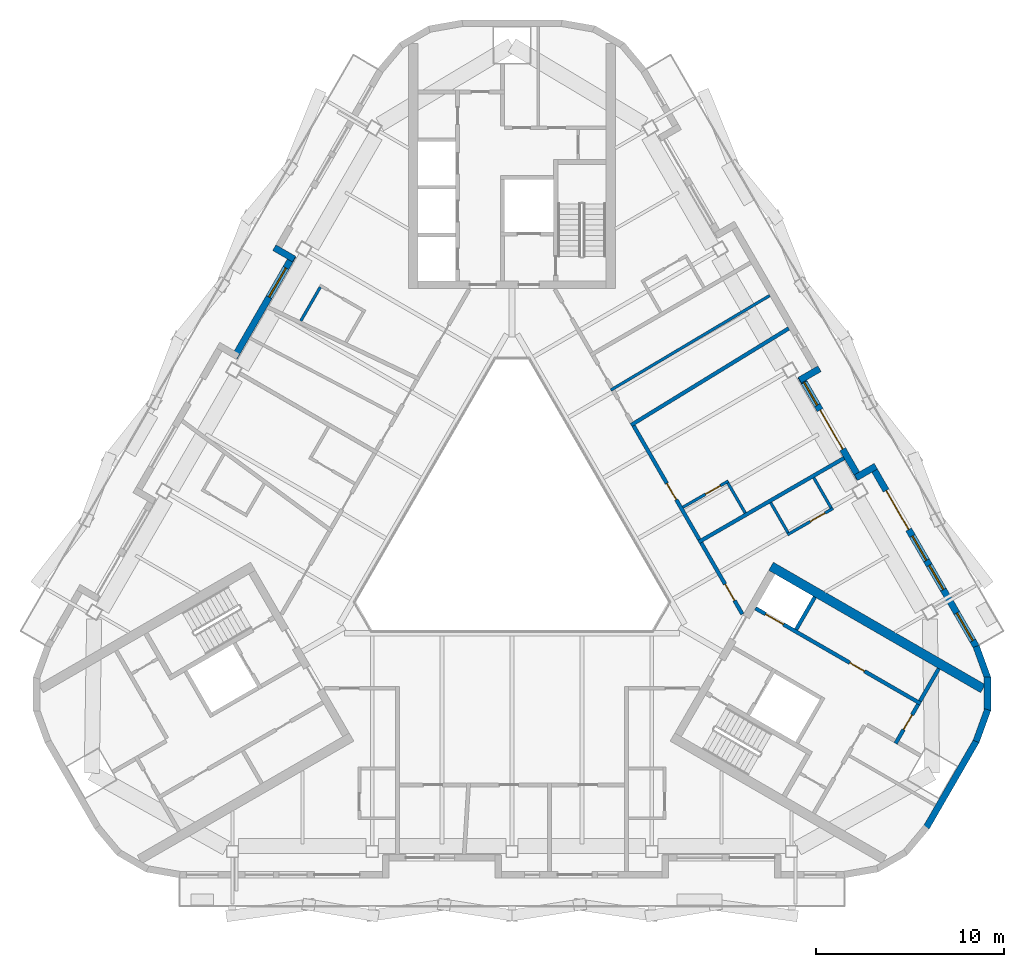
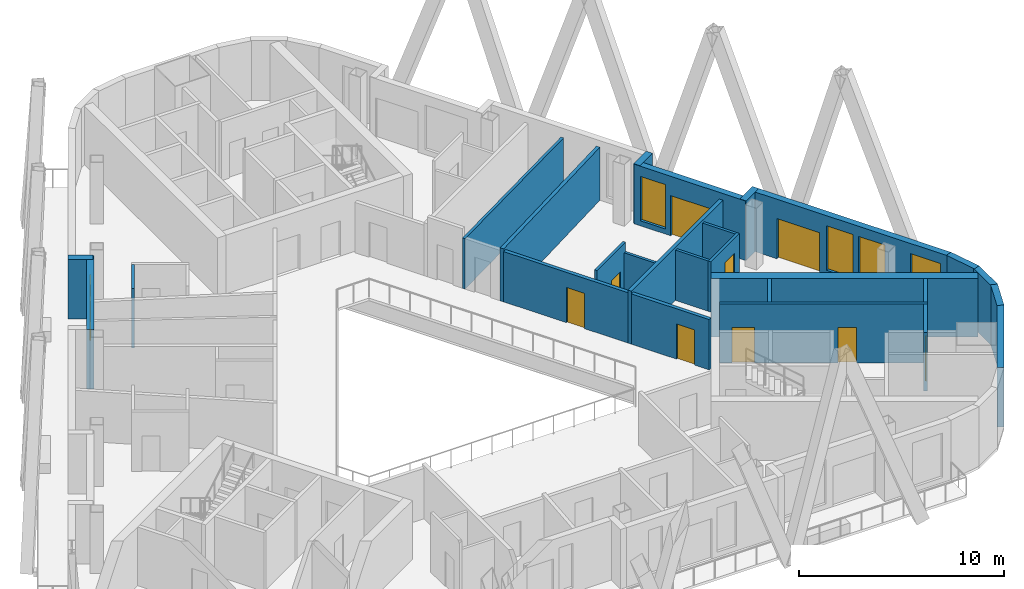
# One storey, part 6 of 14: 26 walls, 9 doors, 5 windows, 14 openings.
"""IFC4 building model written with IfcOpenShell, lengths in metres."""

from ifc_helpers import new_model, si_unit, direction, frame, frame_2d, origin, place, context, subcontext, project, spatial, rectangle, extrude, material, layer, layer_set, type_object, element, fill, save


model = new_model("IFC4")

# Units and contexts
model_context = context("Model", 3, precision=1e-05, world=origin(), true_north=direction((0.0, 1.0)))
body_context = subcontext(model_context, "Body", "Model", "MODEL_VIEW")
ifc_project = project(units=[si_unit("LENGTHUNIT", "METRE"), si_unit("AREAUNIT", "SQUARE_METRE"), si_unit("VOLUMEUNIT", "CUBIC_METRE"), si_unit("PLANEANGLEUNIT", "RADIAN"), si_unit("MASSUNIT", "GRAM", prefix="KILO")], contexts=[model_context])

# Site, building, storey
site_placement = place(None, origin())
site = spatial("IfcSite", under=ifc_project, at=site_placement, CompositionType="ELEMENT")
building_placement = place(site_placement, origin())
building = spatial("IfcBuilding", under=site, at=building_placement, Name="Apuvela Tower Hotel", CompositionType="ELEMENT")
storey_placement = place(building_placement, frame((0.0, 0.0, 268.89990234375)))
storey = spatial("IfcBuildingStorey", under=building, at=storey_placement, Name="L66", CompositionType="ELEMENT", Elevation=268.89990234375)

# Wall
ifc_material_1 = material(Name="Concrete C50/60", Category="concrete")
ifc_layer_1 = layer(ifc_material_1, 0.5)
ifc_layer_set_1 = layer_set([ifc_layer_1], Name="COR-WALL-CORE-500")
wall_type_1 = type_object("IfcWallType", Name="COR-WALL-CORE-500", PredefinedType="SHEAR", material=ifc_layer_set_1)
wall_1_placement = place(storey_placement, frame((13.796630859375, -1.9033203125, 0.0), z_axis=(0.0, 0.0, 1.0), x_axis=(0.866022106474, -0.500005711065, 0.0)))
element("IfcWall", 1, at=wall_1_placement, inside=storey, type_object=wall_type_1, Name="Core wall SE", PredefinedType="SHEAR", context=body_context, shape_type="SweptSolid", body=[
    extrude(rectangle(XDim=13.031494140625, YDim=0.5, at=frame_2d((6.515625, 0.0))), origin(), (0.0, 0.0, 1.0), 3.5),
])

# Wall, openings, doors
ifc_layer_2 = layer(ifc_material_1, 0.199951171875)
ifc_layer_set_2 = layer_set([ifc_layer_2], Name="COR-WALL-SHAFT-200")
wall_type_2 = type_object("IfcWallType", Name="COR-WALL-SHAFT-200", PredefinedType="SHEAR", material=ifc_layer_set_2)
wall_2_placement = place(storey_placement, frame((12.968017578125, -4.138427734375, 0.0), z_axis=(0.0, 0.0, 1.0), x_axis=(0.866028328073, -0.49999493495, 0.0)))
wall_2 = element("IfcWall", 2, at=wall_2_placement, inside=storey, type_object=wall_type_2, Name="Shaft wall SE", PredefinedType="SHEAR", context=body_context, shape_type="SweptSolid", body=[
    extrude(rectangle(XDim=10.16015625, YDim=0.199951171875, at=frame_2d((5.080078125, 0.0))), origin(), (0.0, 0.0, 1.0), 3.5),
])
opening_1_placement = place(wall_2_placement, frame((0.6201171875, 0.0, 0.0)))
opening_1 = element("IfcOpeningElement", 3, at=opening_1_placement, cuts=wall_2, Name="Opening E-LD-HR3", PredefinedType="OPENING", context=body_context, shape_type="SweptSolid", body=[
    extrude(rectangle(XDim=1.10009765625, YDim=2.10009765625, at=frame_2d((0.550048828125, 1.050048828125))), frame((0.0, 0.10986328125, 0.0), z_axis=(0.0, -1.0, 0.0), x_axis=(1.0, 0.0, 0.0)), (0.0, 0.0, 1.0), 0.219970703125),
])
opening_2_placement = place(wall_2_placement, frame((5.800048828125, 0.0, 0.0)))
opening_2 = element("IfcOpeningElement", 4, at=opening_2_placement, cuts=wall_2, Name="Opening E-RE2", PredefinedType="OPENING", context=body_context, shape_type="SweptSolid", body=[
    extrude(rectangle(XDim=0.89990234375, YDim=2.10009765625, at=frame_2d((0.449951171875, 1.050048828125))), frame((0.0, 0.10986328125, 0.0), z_axis=(0.0, -1.0, 0.0), x_axis=(1.0, 0.0, 0.0)), (0.0, 0.0, 1.0), 0.219970703125),
])
ifc_material_2 = material(Name="Steel fire door, powder coated", Category="steel")
door_type_1 = type_object("IfcDoorType", Name="COR-DR-900", OperationType="NOTDEFINED", PredefinedType="DOOR", material=ifc_material_2)
door_1_placement = place(opening_2_placement, origin())
door_1 = element("IfcDoor", 5, at=door_1_placement, inside=storey, type_object=door_type_1, Name="Store door E-RE2", OperationType="SINGLE_SWING_LEFT", OverallHeight=2.10009765625, OverallWidth=0.89990234375, PredefinedType="DOOR", context=body_context, shape_type="SweptSolid", body=[
    extrude(rectangle(XDim=0.89990234375, YDim=2.10009765625, at=frame_2d((0.449951171875, 1.050048828125))), frame((0.0, 0.02490234375, 0.0), z_axis=(0.0, -1.0, 0.0), x_axis=(1.0, 0.0, 0.0)), (0.0, 0.0, 1.0), 0.050048828125),
])
fill(opening_2, door_1)
ifc_material_3 = material(Name="Stainless steel lift landing door", Category="steel")
door_type_2 = type_object("IfcDoorType", Name="COR-LD-1100", OperationType="DOUBLE_DOOR_SLIDING", PredefinedType="DOOR", material=ifc_material_3)
door_2_placement = place(opening_1_placement, origin())
door_2 = element("IfcDoor", 6, at=door_2_placement, inside=storey, type_object=door_type_2, Name="Lift landing door E-LD-HR3", OperationType="DOUBLE_DOOR_SLIDING", OverallHeight=2.10009765625, OverallWidth=1.10009765625, PredefinedType="DOOR", context=body_context, shape_type="SweptSolid", body=[
    extrude(rectangle(XDim=1.10009765625, YDim=2.10009765625, at=frame_2d((0.550048828125, 1.050048828125))), frame((0.0, 0.02490234375, 0.0), z_axis=(0.0, -1.0, 0.0), x_axis=(1.0, 0.0, 0.0)), (0.0, 0.0, 1.0), 0.050048828125),
])
fill(opening_1, door_2)

# Wall, opening, door
wall_3_placement = place(storey_placement, frame((20.430419921875, -11.33349609375, 0.0), z_axis=(0.0, 0.0, 1.0), x_axis=(0.500001309137, 0.866024647952, 0.0)))
wall_3 = element("IfcWall", 7, at=wall_3_placement, inside=storey, type_object=wall_type_2, Name="Shaft wall SE", PredefinedType="SHEAR", context=body_context, shape_type="SweptSolid", body=[
    extrude(rectangle(XDim=2.39990234375, YDim=0.199951171875, at=frame_2d((1.199951171875, 0.0))), origin(), (0.0, 0.0, 1.0), 3.5),
])
opening_3_placement = place(wall_3_placement, frame((0.85009765625, 0.0, 0.0)))
opening_3 = element("IfcOpeningElement", 8, at=opening_3_placement, cuts=wall_3, Name="Opening E-REP", PredefinedType="OPENING", context=body_context, shape_type="SweptSolid", body=[
    extrude(rectangle(XDim=0.89990234375, YDim=2.10009765625, at=frame_2d((0.449951171875, 1.050048828125))), frame((0.0, 0.10986328125, 0.0), z_axis=(0.0, -1.0, 0.0), x_axis=(1.0, 0.0, 0.0)), (0.0, 0.0, 1.0), 0.219970703125),
])
door_3_placement = place(opening_3_placement, frame((0.89990234375, 0.0, 0.0), z_axis=(0.0, 0.0, 1.0), x_axis=(-1.0, 0.0, 0.0)))
door_3 = element("IfcDoor", 9, at=door_3_placement, inside=storey, type_object=door_type_1, Name="Store door E-REP", OperationType="SINGLE_SWING_RIGHT", OverallHeight=2.10009765625, OverallWidth=0.89990234375, PredefinedType="DOOR", context=body_context, shape_type="SweptSolid", body=[
    extrude(rectangle(XDim=0.89990234375, YDim=2.10009765625, at=frame_2d((0.449951171875, 1.050048828125))), frame((0.0, 0.02490234375, 0.0), z_axis=(0.0, -1.0, 0.0), x_axis=(1.0, 0.0, 0.0)), (0.0, 0.0, 1.0), 0.050048828125),
])
fill(opening_3, door_3)

# Walls
for number, where, z_axis, x_axis, name in (
    (10, (15.131103515625, -5.27197265625, 0.0), (0.0, 0.0, 1.0), (0.499972520799, 0.866041268327, 0.0), "Shaft wall SE"),
    (11, (21.73046875, -9.081787109375, 0.0), (0.0, 0.0, 1.0), (0.50002537861, 0.866010750942, 0.0), "Shaft wall SE"),
):
    element("IfcWall", number, at=place(storey_placement, frame(where, z_axis=z_axis, x_axis=x_axis)), inside=storey, type_object=wall_type_2, Name=name, PredefinedType="SHEAR", context=body_context, shape_type="SweptSolid", body=[
        extrude(rectangle(XDim=2.0, YDim=0.199951171875, at=frame_2d((1.0, 0.0))), origin(), (0.0, 0.0, 1.0), 3.5),
    ])
ifc_material_4 = material(Name="Concrete C40/50, dark pigmented precast panel", Category="concrete")
ifc_layer_3 = layer(ifc_material_4, 0.35009765625)
ifc_layer_set_3 = layer_set([ifc_layer_3], Name="ENV-WALL-350")
wall_type_3 = type_object("IfcWallType", Name="ENV-WALL-350", PredefinedType="SOLIDWALL", material=ifc_layer_set_3)
wall_4_placement = place(storey_placement, frame((-12.65869140625, 15.06640625, 0.0), z_axis=(0.0, 0.0, 1.0), x_axis=(0.866005645448, -0.500034220881, 0.0)))
element("IfcWall", 12, at=wall_4_placement, inside=storey, type_object=wall_type_3, Name="External wall L66-02", PredefinedType="SOLIDWALL", context=body_context, shape_type="SweptSolid", body=[
    extrude(rectangle(XDim=1.22021484375, YDim=0.35009765625, at=frame_2d((0.610107421875, 0.0))), origin(), (0.0, 0.0, 1.0), 3.550048828125),
])

# Wall, opening, window
wall_5_placement = place(storey_placement, frame((-11.655029296875, 14.654541015625, 0.0), z_axis=(0.0, 0.0, 1.0), x_axis=(-0.499995993298, -0.866027717042, 0.0)))
wall_5 = element("IfcWall", 13, at=wall_5_placement, inside=storey, type_object=wall_type_3, Name="External wall L66-03", PredefinedType="SOLIDWALL", context=body_context, shape_type="SweptSolid", body=[
    extrude(rectangle(XDim=6.28369140625, YDim=0.35009765625, at=frame_2d((3.141845703125, 0.0))), origin(), (0.0, 0.0, 1.0), 3.550048828125),
])
opening_4_placement = place(wall_5_placement, frame((0.77001953125, 0.0, 0.300048828125)))
opening_4 = element("IfcOpeningElement", 14, at=opening_4_placement, cuts=wall_5, Name="Opening WN18", PredefinedType="OPENING", context=body_context, shape_type="SweptSolid", body=[
    extrude(rectangle(XDim=1.800048828125, YDim=2.64990234375, at=frame_2d((0.89990234375, 1.324951171875))), frame((0.0, 0.18505859375, 0.0), z_axis=(0.0, -1.0, 0.0), x_axis=(1.0, 0.0, 0.0)), (0.0, 0.0, 1.0), 0.3701171875),
])
ifc_material_5 = material(Name="Glass, dark tinted laminated insulated glazing unit", Category="glass")
window_type_1 = type_object("IfcWindowType", Name="ENV-WIN-1800x2650", PartitioningType="SINGLE_PANEL", PredefinedType="WINDOW", material=ifc_material_5)
window_1_placement = place(opening_4_placement, origin())
window_1 = element("IfcWindow", 15, at=window_1_placement, inside=storey, type_object=window_type_1, Name="Window WN18", OverallHeight=2.64990234375, OverallWidth=1.800048828125, PartitioningType="SINGLE_PANEL", PredefinedType="WINDOW", context=body_context, shape_type="SweptSolid", body=[
    extrude(rectangle(XDim=1.800048828125, YDim=2.64990234375, at=frame_2d((0.89990234375, 1.324951171875))), frame((0.0, 0.030029296875, 0.0), z_axis=(0.0, -1.0, 0.0), x_axis=(1.0, 0.0, 0.0)), (0.0, 0.0, 1.0), 0.06005859375),
])
fill(opening_4, window_1)

# Walls
wall_6_placement = place(storey_placement, frame((22.06494140625, -15.817138671875, 0.0), z_axis=(0.0, 0.0, 1.0), x_axis=(0.500025039717, 0.866010946615, 0.0)))
element("IfcWall", 16, at=wall_6_placement, inside=storey, type_object=wall_type_3, Name="External wall L66-29", PredefinedType="SOLIDWALL", context=body_context, shape_type="SweptSolid", body=[
    extrude(rectangle(XDim=5.331298828125, YDim=0.35009765625, at=frame_2d((2.66552734375, 0.0))), origin(), (0.0, 0.0, 1.0), 3.550048828125),
])
wall_7_placement = place(storey_placement, frame((24.7177734375, -11.22802734375, 0.0), z_axis=(0.0, 0.0, 1.0), x_axis=(0.34206975284, 0.939674562916, 0.0)))
element("IfcWall", 17, at=wall_7_placement, inside=storey, type_object=wall_type_3, Name="External wall L66-30", PredefinedType="SOLIDWALL", context=body_context, shape_type="SweptSolid", body=[
    extrude(rectangle(XDim=1.800048828125, YDim=0.35009765625, at=frame_2d((0.89990234375, 0.0))), origin(), (0.0, 0.0, 1.0), 3.550048828125),
])
wall_8_placement = place(storey_placement, frame((25.32275390625, -9.5966796875, 0.0), z_axis=(0.0, 0.0, 1.0), x_axis=(0.0, 1.0, 0.0)))
element("IfcWall", 18, at=wall_8_placement, inside=storey, type_object=wall_type_3, Name="External wall L66-31", PredefinedType="SOLIDWALL", context=body_context, shape_type="SweptSolid", body=[
    extrude(rectangle(XDim=1.7998046875, YDim=0.35009765625, at=frame_2d((0.89990234375, 0.0))), origin(), (0.0, 0.0, 1.0), 3.550048828125),
])
wall_9_placement = place(storey_placement, frame((25.33349609375, -7.856689453125, 0.0), z_axis=(0.0, 0.0, 1.0), x_axis=(-0.34206975284, 0.939674562916, 0.0)))
element("IfcWall", 19, at=wall_9_placement, inside=storey, type_object=wall_type_3, Name="External wall L66-32", PredefinedType="SOLIDWALL", context=body_context, shape_type="SweptSolid", body=[
    extrude(rectangle(XDim=1.800048828125, YDim=0.35009765625, at=frame_2d((0.89990234375, 0.0))), origin(), (0.0, 0.0, 1.0), 3.550048828125),
])

# Wall, openings, door, windows
wall_10_placement = place(storey_placement, frame((24.730712890625, -6.193115234375, 0.0), z_axis=(0.0, 0.0, 1.0), x_axis=(-0.500007749075, 0.866020929808, 0.0)))
wall_10 = element("IfcWall", 20, at=wall_10_placement, inside=storey, type_object=wall_type_3, Name="External wall L66-33", PredefinedType="SOLIDWALL", context=body_context, shape_type="SweptSolid", body=[
    extrude(rectangle(XDim=11.185302734375, YDim=0.35009765625, at=frame_2d((5.5927734375, 0.0))), origin(), (0.0, 0.0, 1.0), 3.550048828125),
])
opening_5_placement = place(wall_10_placement, frame((0.380859375, 0.0, 0.300048828125)))
opening_5 = element("IfcOpeningElement", 21, at=opening_5_placement, cuts=wall_10, Name="Opening WN17", PredefinedType="OPENING", context=body_context, shape_type="SweptSolid", body=[
    extrude(rectangle(XDim=1.699951171875, YDim=2.64990234375, at=frame_2d((0.85009765625, 1.324951171875))), frame((0.0, 0.18505859375, 0.0), z_axis=(0.0, -1.0, 0.0), x_axis=(1.0, 0.0, 0.0)), (0.0, 0.0, 1.0), 0.3701171875),
])
opening_6_placement = place(wall_10_placement, frame((7.209716796875, 0.0, 0.0)))
opening_6 = element("IfcOpeningElement", 22, at=opening_6_placement, cuts=wall_10, Name="Opening BD24", PredefinedType="OPENING", context=body_context, shape_type="SweptSolid", body=[
    extrude(rectangle(XDim=2.39990234375, YDim=2.39990234375, at=frame_2d((1.199951171875, 1.199951171875))), frame((0.0, 0.18505859375, 0.0), z_axis=(0.0, -1.0, 0.0), x_axis=(1.0, 0.0, 0.0)), (0.0, 0.0, 1.0), 0.3701171875),
])
opening_7_placement = place(wall_10_placement, frame((3.5166015625, 0.0, 0.300048828125)))
opening_7 = element("IfcOpeningElement", 23, at=opening_7_placement, cuts=wall_10, Name="Opening WN15", PredefinedType="OPENING", context=body_context, shape_type="SweptSolid", body=[
    extrude(rectangle(XDim=1.5, YDim=2.64990234375, at=frame_2d((0.75, 1.324951171875))), frame((0.0, 0.18505859375, 0.0), z_axis=(0.0, -1.0, 0.0), x_axis=(1.0, 0.0, 0.0)), (0.0, 0.0, 1.0), 0.3701171875),
])
opening_8_placement = place(wall_10_placement, frame((5.316650390625, 0.0, 0.300048828125)))
opening_8 = element("IfcOpeningElement", 24, at=opening_8_placement, cuts=wall_10, Name="Opening WN15", PredefinedType="OPENING", context=body_context, shape_type="SweptSolid", body=[
    extrude(rectangle(XDim=1.5, YDim=2.64990234375, at=frame_2d((0.75, 1.324951171875))), frame((0.0, 0.18505859375, 0.0), z_axis=(0.0, -1.0, 0.0), x_axis=(1.0, 0.0, 0.0)), (0.0, 0.0, 1.0), 0.3701171875),
])
ifc_material_6 = material(Name="Aluminium 6063-T6, dark bronze anodised frame with dark tinted laminated glass", Category="aluminium")
door_type_3 = type_object("IfcDoorType", Name="ENV-DOOR-BALCONY-2400x2400", OperationType="SLIDING_TO_LEFT", PredefinedType="DOOR", material=ifc_material_6)
door_4_placement = place(opening_6_placement, frame((2.39990234375, 0.0, 0.0), z_axis=(0.0, 0.0, 1.0), x_axis=(-1.0, 0.0, 0.0)))
door_4 = element("IfcDoor", 25, at=door_4_placement, inside=storey, type_object=door_type_3, Name="Balcony door BD24", OperationType="SLIDING_TO_LEFT", OverallHeight=2.39990234375, OverallWidth=2.39990234375, PredefinedType="DOOR", context=body_context, shape_type="SweptSolid", body=[
    extrude(rectangle(XDim=2.39990234375, YDim=2.39990234375, at=frame_2d((1.199951171875, 1.199951171875))), frame((0.0, 0.02490234375, 0.0), z_axis=(0.0, -1.0, 0.0), x_axis=(1.0, 0.0, 0.0)), (0.0, 0.0, 1.0), 0.050048828125),
])
fill(opening_6, door_4)
window_type_2 = type_object("IfcWindowType", Name="ENV-WIN-1500x2650", PartitioningType="SINGLE_PANEL", PredefinedType="WINDOW", material=ifc_material_5)
window_2_placement = place(opening_7_placement, origin())
window_2 = element("IfcWindow", 26, at=window_2_placement, inside=storey, type_object=window_type_2, Name="Window WN15", OverallHeight=2.64990234375, OverallWidth=1.5, PartitioningType="SINGLE_PANEL", PredefinedType="WINDOW", context=body_context, shape_type="SweptSolid", body=[
    extrude(rectangle(XDim=1.5, YDim=2.64990234375, at=frame_2d((0.75, 1.324951171875))), frame((0.0, 0.030029296875, 0.0), z_axis=(0.0, -1.0, 0.0), x_axis=(1.0, 0.0, 0.0)), (0.0, 0.0, 1.0), 0.06005859375),
])
fill(opening_7, window_2)
window_3_placement = place(opening_8_placement, origin())
window_3 = element("IfcWindow", 27, at=window_3_placement, inside=storey, type_object=window_type_2, Name="Window WN15", OverallHeight=2.64990234375, OverallWidth=1.5, PartitioningType="SINGLE_PANEL", PredefinedType="WINDOW", context=body_context, shape_type="SweptSolid", body=[
    extrude(rectangle(XDim=1.5, YDim=2.64990234375, at=frame_2d((0.75, 1.324951171875))), frame((0.0, 0.030029296875, 0.0), z_axis=(0.0, -1.0, 0.0), x_axis=(1.0, 0.0, 0.0)), (0.0, 0.0, 1.0), 0.06005859375),
])
fill(opening_8, window_3)
window_type_3 = type_object("IfcWindowType", Name="ENV-WIN-1700x2650", PartitioningType="SINGLE_PANEL", PredefinedType="WINDOW", material=ifc_material_5)
window_4_placement = place(opening_5_placement, origin())
window_4 = element("IfcWindow", 28, at=window_4_placement, inside=storey, type_object=window_type_3, Name="Window WN17", OverallHeight=2.64990234375, OverallWidth=1.699951171875, PartitioningType="SINGLE_PANEL", PredefinedType="WINDOW", context=body_context, shape_type="SweptSolid", body=[
    extrude(rectangle(XDim=1.699951171875, YDim=2.64990234375, at=frame_2d((0.85009765625, 1.324951171875))), frame((0.0, 0.030029296875, 0.0), z_axis=(0.0, -1.0, 0.0), x_axis=(1.0, 0.0, 0.0)), (0.0, 0.0, 1.0), 0.06005859375),
])
fill(opening_5, window_4)

# Wall
wall_11_placement = place(storey_placement, frame((19.377197265625, 3.429443359375, 0.0), z_axis=(0.0, 0.0, 1.0), x_axis=(-0.866092288191, -0.499884134912, 0.0)))
element("IfcWall", 29, at=wall_11_placement, inside=storey, type_object=wall_type_3, Name="External wall L66-34", PredefinedType="SOLIDWALL", context=body_context, shape_type="SweptSolid", body=[
    extrude(rectangle(XDim=1.219970703125, YDim=0.35009765625, at=frame_2d((0.60986328125, 0.0))), origin(), (0.0, 0.0, 1.0), 3.550048828125),
])

# Wall, openings, door, window
wall_12_placement = place(storey_placement, frame((18.5185546875, 2.766357421875, 0.0), z_axis=(0.0, 0.0, 1.0), x_axis=(-0.499995993298, 0.866027717042, 0.0)))
wall_12 = element("IfcWall", 30, at=wall_12_placement, inside=storey, type_object=wall_type_3, Name="External wall L66-35", PredefinedType="SOLIDWALL", context=body_context, shape_type="SweptSolid", body=[
    extrude(rectangle(XDim=6.28369140625, YDim=0.35009765625, at=frame_2d((3.141845703125, 0.0))), origin(), (0.0, 0.0, 1.0), 3.550048828125),
])
opening_9_placement = place(wall_12_placement, frame((1.813232421875, 0.0, 0.0)))
opening_9 = element("IfcOpeningElement", 31, at=opening_9_placement, cuts=wall_12, Name="Opening BD24", PredefinedType="OPENING", context=body_context, shape_type="SweptSolid", body=[
    extrude(rectangle(XDim=2.39990234375, YDim=2.39990234375, at=frame_2d((1.199951171875, 1.199951171875))), frame((0.0, 0.18505859375, 0.0), z_axis=(0.0, -1.0, 0.0), x_axis=(1.0, 0.0, 0.0)), (0.0, 0.0, 1.0), 0.3701171875),
])
opening_10_placement = place(wall_12_placement, frame((4.51318359375, 0.0, 0.300048828125)))
opening_10 = element("IfcOpeningElement", 32, at=opening_10_placement, cuts=wall_12, Name="Opening WN14", PredefinedType="OPENING", context=body_context, shape_type="SweptSolid", body=[
    extrude(rectangle(XDim=1.39990234375, YDim=2.64990234375, at=frame_2d((0.699951171875, 1.324951171875))), frame((0.0, 0.18505859375, 0.0), z_axis=(0.0, -1.0, 0.0), x_axis=(1.0, 0.0, 0.0)), (0.0, 0.0, 1.0), 0.3701171875),
])
door_5_placement = place(opening_9_placement, frame((2.39990234375, 0.0, 0.0), z_axis=(0.0, 0.0, 1.0), x_axis=(-1.0, 0.0, 0.0)))
door_5 = element("IfcDoor", 33, at=door_5_placement, inside=storey, type_object=door_type_3, Name="Balcony door BD24", OperationType="SLIDING_TO_LEFT", OverallHeight=2.39990234375, OverallWidth=2.39990234375, PredefinedType="DOOR", context=body_context, shape_type="SweptSolid", body=[
    extrude(rectangle(XDim=2.39990234375, YDim=2.39990234375, at=frame_2d((1.199951171875, 1.199951171875))), frame((0.0, 0.02490234375, 0.0), z_axis=(0.0, -1.0, 0.0), x_axis=(1.0, 0.0, 0.0)), (0.0, 0.0, 1.0), 0.050048828125),
])
fill(opening_9, door_5)
window_type_4 = type_object("IfcWindowType", Name="ENV-WIN-1400x2650", PartitioningType="SINGLE_PANEL", PredefinedType="WINDOW", material=ifc_material_5)
window_5_placement = place(opening_10_placement, origin())
window_5 = element("IfcWindow", 34, at=window_5_placement, inside=storey, type_object=window_type_4, Name="Window WN14", OverallHeight=2.64990234375, OverallWidth=1.39990234375, PartitioningType="SINGLE_PANEL", PredefinedType="WINDOW", context=body_context, shape_type="SweptSolid", body=[
    extrude(rectangle(XDim=1.39990234375, YDim=2.64990234375, at=frame_2d((0.699951171875, 1.324951171875))), frame((0.0, 0.030029296875, 0.0), z_axis=(0.0, -1.0, 0.0), x_axis=(1.0, 0.0, 0.0)), (0.0, 0.0, 1.0), 0.06005859375),
])
fill(opening_10, window_5)

# Walls
wall_13_placement = place(storey_placement, frame((15.32373046875, 8.010009765625, 0.0), z_axis=(0.0, 0.0, 1.0), x_axis=(0.866005645448, 0.500034220881, 0.0)))
element("IfcWall", 35, at=wall_13_placement, inside=storey, type_object=wall_type_3, Name="External wall L66-36", PredefinedType="SOLIDWALL", context=body_context, shape_type="SweptSolid", body=[
    extrude(rectangle(XDim=1.22021484375, YDim=0.35009765625, at=frame_2d((0.610107421875, 0.0))), origin(), (0.0, 0.0, 1.0), 3.550048828125),
])
ifc_material_7 = material(Name="Gypsum board partition on twin steel stud", Category="steel")
ifc_layer_4 = layer(ifc_material_7, 0.199951171875)
ifc_layer_set_4 = layer_set([ifc_layer_4], Name="GST-PW1")
wall_type_4 = type_object("IfcWallType", Name="GST-PW1", PredefinedType="PARTITIONING", material=ifc_layer_set_4)
wall_14_placement = place(storey_placement, frame((17.685302734375, 3.85986328125, 0.0), z_axis=(0.0, 0.0, 1.0), x_axis=(-0.866026066645, -0.499998851889, 0.0)))
element("IfcWall", 36, at=wall_14_placement, inside=storey, type_object=wall_type_4, Name="L66 partition 05", PredefinedType="PARTITIONING", context=body_context, shape_type="SweptSolid", body=[
    extrude(rectangle(XDim=8.94580078125, YDim=0.199951171875, at=frame_2d((4.472900390625, 0.0))), origin(), (0.0, 0.0, 1.0), 3.16015625),
])
wall_15_placement = place(storey_placement, frame((14.7373046875, 10.76611328125, 0.0), z_axis=(0.0, 0.0, 1.0), x_axis=(-0.852501485732, -0.522724800277, 0.0)))
element("IfcWall", 37, at=wall_15_placement, inside=storey, type_object=wall_type_4, Name="L66 partition 06", PredefinedType="PARTITIONING", context=body_context, shape_type="SweptSolid", body=[
    extrude(rectangle(XDim=9.84912109375, YDim=0.199951171875, at=frame_2d((4.924560546875, 0.0))), origin(), (0.0, 0.0, 1.0), 3.16015625),
])

# Wall, opening, door
ifc_material_8 = material(Name="Gypsum board corridor wall on twin steel stud, acoustic", Category="steel")
ifc_layer_5 = layer(ifc_material_8, 0.199951171875)
ifc_layer_set_5 = layer_set([ifc_layer_5], Name="GST-PW2")
wall_type_5 = type_object("IfcWallType", Name="GST-PW2", PredefinedType="PARTITIONING", material=ifc_layer_set_5)
wall_16_placement = place(storey_placement, frame((10.07470703125, -0.649658203125, 0.0), z_axis=(0.0, 0.0, 1.0), x_axis=(0.499998569178, -0.866026229868, 0.0)))
wall_16 = element("IfcWall", 38, at=wall_16_placement, inside=storey, type_object=wall_type_5, Name="L66 partition 22", PredefinedType="PARTITIONING", context=body_context, shape_type="SweptSolid", body=[
    extrude(rectangle(XDim=4.38818359375, YDim=0.199951171875, at=frame_2d((2.194091796875, 0.0))), origin(), (0.0, 0.0, 1.0), 3.0),
])
opening_11_placement = place(wall_16_placement, frame((2.550048828125, 0.0, 0.0)))
opening_11 = element("IfcOpeningElement", 39, at=opening_11_placement, cuts=wall_16, Name="Opening GD26-09", PredefinedType="OPENING", context=body_context, shape_type="SweptSolid", body=[
    extrude(rectangle(XDim=1.0, YDim=2.10009765625, at=frame_2d((0.5, 1.050048828125))), frame((0.0, 0.10986328125, 0.0), z_axis=(0.0, -1.0, 0.0), x_axis=(1.0, 0.0, 0.0)), (0.0, 0.0, 1.0), 0.219970703125),
])
ifc_material_9 = material(Name="Timber door leaf in steel frame", Category="steel")
door_type_4 = type_object("IfcDoorType", Name="GST-D1", OperationType="NOTDEFINED", PredefinedType="DOOR", material=ifc_material_9)
door_6_placement = place(opening_11_placement, origin())
door_6 = element("IfcDoor", 40, at=door_6_placement, inside=storey, type_object=door_type_4, Name="Door L66-09", OperationType="SINGLE_SWING_LEFT", OverallHeight=2.10009765625, OverallWidth=1.0, PredefinedType="DOOR", context=body_context, shape_type="SweptSolid", body=[
    extrude(rectangle(XDim=1.0, YDim=2.10009765625, at=frame_2d((0.5, 1.050048828125))), frame((0.0, 0.02490234375, 0.0), z_axis=(0.0, -1.0, 0.0), x_axis=(1.0, 0.0, 0.0)), (0.0, 0.0, 1.0), 0.050048828125),
])
fill(opening_11, door_6)

wall_17_placement = place(storey_placement, frame((6.47607421875, 5.583251953125, 0.0), z_axis=(0.0, 0.0, 1.0), x_axis=(0.499989243959, -0.866031613699, 0.0)))
wall_17 = element("IfcWall", 41, at=wall_17_placement, inside=storey, type_object=wall_type_5, Name="L66 partition 26", PredefinedType="PARTITIONING", context=body_context, shape_type="SweptSolid", body=[
    extrude(rectangle(XDim=6.997314453125, YDim=0.199951171875, at=frame_2d((3.49853515625, 0.0))), origin(), (0.0, 0.0, 1.0), 3.0),
])
opening_12_placement = place(wall_17_placement, frame((3.54736328125, 0.0, 0.0)))
opening_12 = element("IfcOpeningElement", 42, at=opening_12_placement, cuts=wall_17, Name="Opening GD26-11", PredefinedType="OPENING", context=body_context, shape_type="SweptSolid", body=[
    extrude(rectangle(XDim=1.0, YDim=2.10009765625, at=frame_2d((0.5, 1.050048828125))), frame((0.0, 0.10986328125, 0.0), z_axis=(0.0, -1.0, 0.0), x_axis=(1.0, 0.0, 0.0)), (0.0, 0.0, 1.0), 0.219970703125),
])
door_7_placement = place(opening_12_placement, origin())
door_7 = element("IfcDoor", 43, at=door_7_placement, inside=storey, type_object=door_type_4, Name="Door L66-11", OperationType="SINGLE_SWING_LEFT", OverallHeight=2.10009765625, OverallWidth=1.0, PredefinedType="DOOR", context=body_context, shape_type="SweptSolid", body=[
    extrude(rectangle(XDim=1.0, YDim=2.10009765625, at=frame_2d((0.5, 1.050048828125))), frame((0.0, 0.02490234375, 0.0), z_axis=(0.0, -1.0, 0.0), x_axis=(1.0, 0.0, 0.0)), (0.0, 0.0, 1.0), 0.050048828125),
])
fill(opening_12, door_7)

ifc_material_10 = material(Name="Moisture-resistant gypsum board wet wall on steel stud", Category="steel")
ifc_layer_6 = layer(ifc_material_10, 0.14990234375)
ifc_layer_set_6 = layer_set([ifc_layer_6], Name="GST-PW3")
wall_type_6 = type_object("IfcWallType", Name="GST-PW3", PredefinedType="PARTITIONING", material=ifc_layer_set_6)
wall_18_placement = place(storey_placement, frame((14.67431640625, -0.216796875, 0.0), z_axis=(0.0, 0.0, 1.0), x_axis=(0.866056369097, 0.49994636267, 0.0)))
wall_18 = element("IfcWall", 44, at=wall_18_placement, inside=storey, type_object=wall_type_6, Name="L66 partition 23", PredefinedType="PARTITIONING", context=body_context, shape_type="SweptSolid", body=[
    extrude(rectangle(XDim=2.800048828125, YDim=0.14990234375, at=frame_2d((1.39990234375, 0.0))), origin(), (0.0, 0.0, 1.0), 3.0),
])
opening_13_placement = place(wall_18_placement, frame((1.39990234375, 0.0, 0.0)))
opening_13 = element("IfcOpeningElement", 45, at=opening_13_placement, cuts=wall_18, Name="Opening GD26-08", PredefinedType="OPENING", context=body_context, shape_type="SweptSolid", body=[
    extrude(rectangle(XDim=0.89990234375, YDim=2.10009765625, at=frame_2d((0.449951171875, 1.050048828125))), frame((0.0, 0.0849609375, 0.0), z_axis=(0.0, -1.0, 0.0), x_axis=(1.0, 0.0, 0.0)), (0.0, 0.0, 1.0), 0.169921875),
])
door_type_5 = type_object("IfcDoorType", Name="GST-D2", OperationType="NOTDEFINED", PredefinedType="DOOR", material=ifc_material_9)
door_8_placement = place(opening_13_placement, origin())
door_8 = element("IfcDoor", 46, at=door_8_placement, inside=storey, type_object=door_type_5, Name="Door L66-08", OperationType="SINGLE_SWING_RIGHT", OverallHeight=2.10009765625, OverallWidth=0.89990234375, PredefinedType="DOOR", context=body_context, shape_type="SweptSolid", body=[
    extrude(rectangle(XDim=0.89990234375, YDim=2.10009765625, at=frame_2d((0.449951171875, 1.050048828125))), frame((0.0, 0.02490234375, 0.0), z_axis=(0.0, -1.0, 0.0), x_axis=(1.0, 0.0, 0.0)), (0.0, 0.0, 1.0), 0.050048828125),
])
fill(opening_13, door_8)

# Walls
wall_19_placement = place(storey_placement, frame((16.996826171875, 1.210693359375, 0.0), z_axis=(0.0, 0.0, 1.0), x_axis=(-0.500042316284, 0.866000971088, 0.0)))
element("IfcWall", 47, at=wall_19_placement, inside=storey, type_object=wall_type_6, Name="L66 partition 24", PredefinedType="PARTITIONING", context=body_context, shape_type="SweptSolid", body=[
    extrude(rectangle(XDim=1.849853515625, YDim=0.14990234375, at=frame_2d((0.9248046875, 0.0))), origin(), (0.0, 0.0, 1.0), 3.0),
])
wall_20_placement = place(storey_placement, frame((14.701904296875, -0.114501953125, 0.0), z_axis=(0.0, 0.0, 1.0), x_axis=(-0.499985172903, 0.866033964044, 0.0)))
element("IfcWall", 48, at=wall_20_placement, inside=storey, type_object=wall_type_6, Name="L66 partition 25", PredefinedType="PARTITIONING", context=body_context, shape_type="SweptSolid", body=[
    extrude(rectangle(XDim=1.85009765625, YDim=0.14990234375, at=frame_2d((0.925048828125, 0.0))), origin(), (0.0, 0.0, 1.0), 3.0),
])

# Wall, opening, door
wall_21_placement = place(storey_placement, frame((11.523681640625, 2.640625, 0.0), z_axis=(0.0, 0.0, 1.0), x_axis=(-0.866018616679, -0.500011755427, 0.0)))
wall_21 = element("IfcWall", 49, at=wall_21_placement, inside=storey, type_object=wall_type_6, Name="L66 partition 27", PredefinedType="PARTITIONING", context=body_context, shape_type="SweptSolid", body=[
    extrude(rectangle(XDim=2.80029296875, YDim=0.14990234375, at=frame_2d((1.400146484375, 0.0))), origin(), (0.0, 0.0, 1.0), 3.550048828125),
])
opening_14_placement = place(wall_21_placement, frame((0.5, 0.0, 0.0)))
opening_14 = element("IfcOpeningElement", 50, at=opening_14_placement, cuts=wall_21, Name="Opening GD26-10", PredefinedType="OPENING", context=body_context, shape_type="SweptSolid", body=[
    extrude(rectangle(XDim=0.89990234375, YDim=2.10009765625, at=frame_2d((0.449951171875, 1.050048828125))), frame((0.0, 0.0849609375, 0.0), z_axis=(0.0, -1.0, 0.0), x_axis=(1.0, 0.0, 0.0)), (0.0, 0.0, 1.0), 0.169921875),
])
door_9_placement = place(opening_14_placement, origin())
door_9 = element("IfcDoor", 51, at=door_9_placement, inside=storey, type_object=door_type_5, Name="Door L66-10", OperationType="SINGLE_SWING_LEFT", OverallHeight=2.10009765625, OverallWidth=0.89990234375, PredefinedType="DOOR", context=body_context, shape_type="SweptSolid", body=[
    extrude(rectangle(XDim=0.89990234375, YDim=2.10009765625, at=frame_2d((0.449951171875, 1.050048828125))), frame((0.0, 0.02490234375, 0.0), z_axis=(0.0, -1.0, 0.0), x_axis=(1.0, 0.0, 0.0)), (0.0, 0.0, 1.0), 0.050048828125),
])
fill(opening_14, door_9)

# Walls
wall_22_placement = place(storey_placement, frame((12.421142578125, 0.93603515625, 0.0), z_axis=(0.0, 0.0, 1.0), x_axis=(-0.500042316284, 0.866000971088, 0.0)))
element("IfcWall", 52, at=wall_22_placement, inside=storey, type_object=wall_type_6, Name="L66 partition 28", PredefinedType="PARTITIONING", context=body_context, shape_type="SweptSolid", body=[
    extrude(rectangle(XDim=1.849853515625, YDim=0.14990234375, at=frame_2d((0.9248046875, 0.0))), origin(), (0.0, 0.0, 1.0), 3.0),
])
wall_23_placement = place(storey_placement, frame((13.72607421875, 12.517578125, 0.0), z_axis=(0.0, 0.0, 1.0), x_axis=(-0.859340362174, -0.511404088699, 0.0)))
element("IfcWall", 53, at=wall_23_placement, inside=storey, type_object=wall_type_6, Name="L66 partition 29", PredefinedType="PARTITIONING", context=body_context, shape_type="SweptSolid", body=[
    extrude(rectangle(XDim=9.8466796875, YDim=0.14990234375, at=frame_2d((4.92333984375, 0.0))), origin(), (0.0, 0.0, 1.0), 3.0),
])
wall_24_placement = place(storey_placement, frame((-10.212158203125, 12.962158203125, 0.0), z_axis=(0.0, 0.0, 1.0), x_axis=(-0.500008344384, -0.866020586098, 0.0)))
element("IfcWall", 54, at=wall_24_placement, inside=storey, type_object=wall_type_6, Name="L66 partition 38", PredefinedType="PARTITIONING", context=body_context, shape_type="SweptSolid", body=[
    extrude(rectangle(XDim=2.06982421875, YDim=0.14990234375, at=frame_2d((1.034912109375, 0.0))), origin(), (0.0, 0.0, 1.0), 3.550048828125),
])

save(model, "model.ifc")
